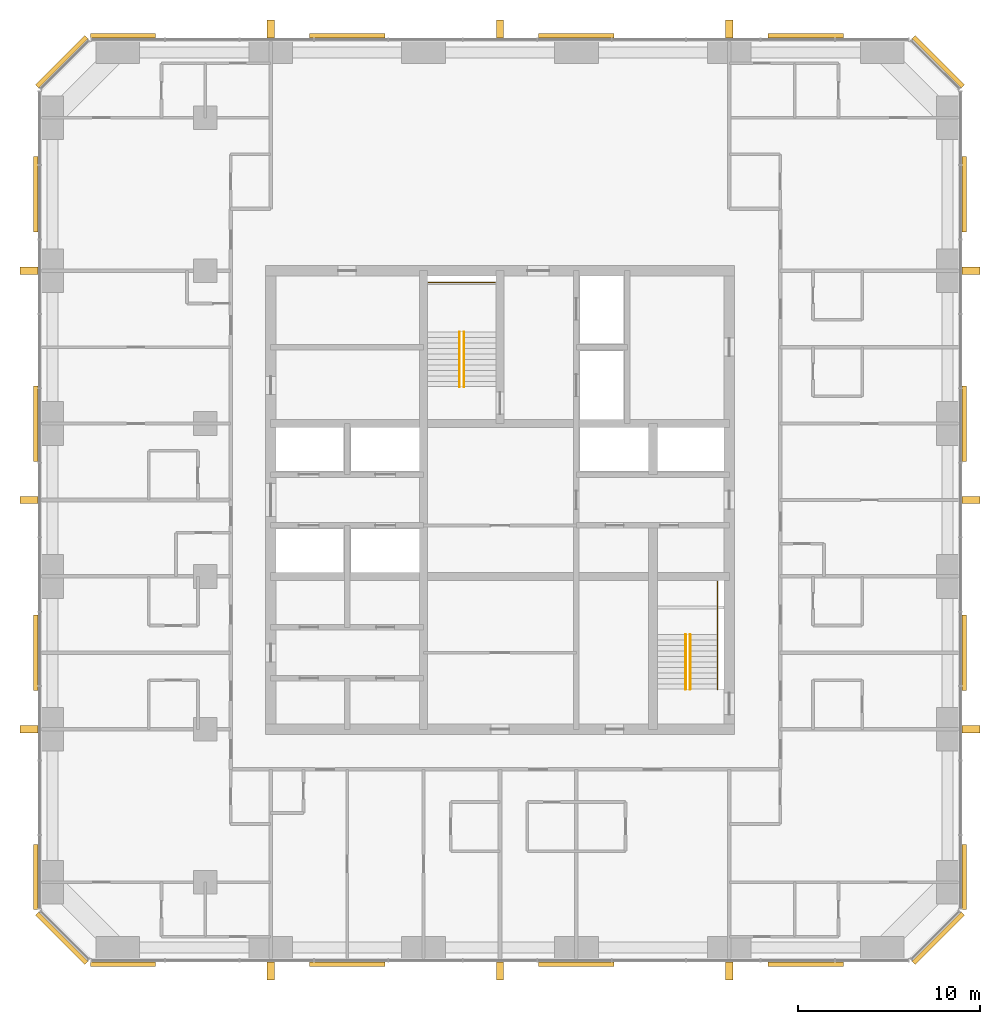
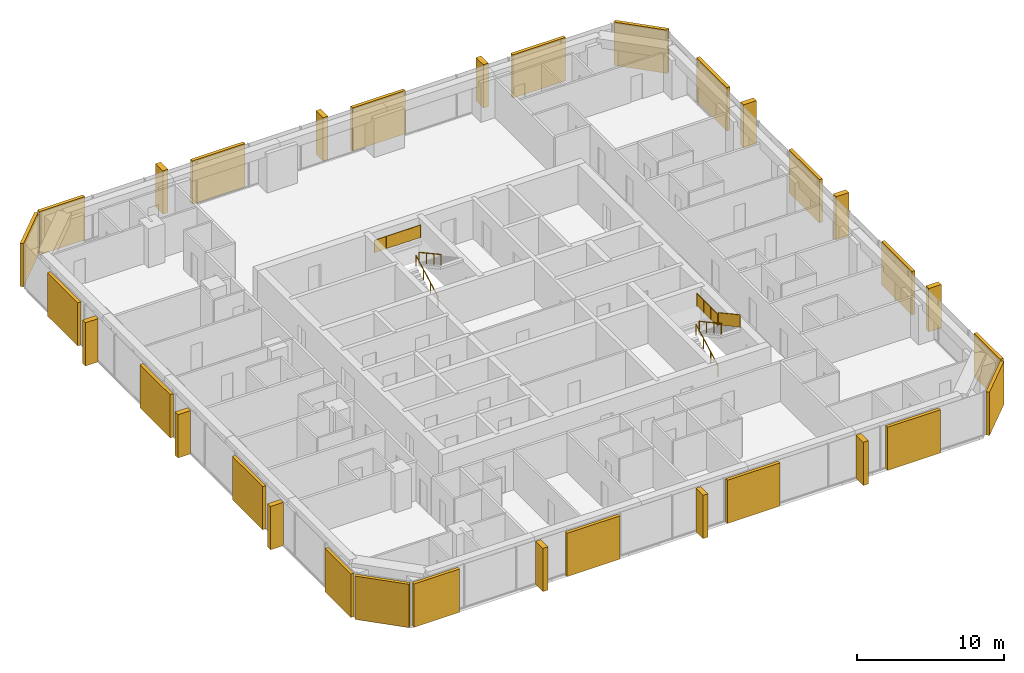
# One storey, part 13 of 13: 20 coverings, 12 shading devices, 7 railings.
"""IFC4 building model written with IfcOpenShell, lengths in metres."""

from ifc_helpers import new_model, si_unit, direction, frame, origin, origin_2d, place, context, subcontext, project, spatial, polyline, rectangle, circle, outline, extrude, material, layer, layer_set, type_object, element, save


model = new_model("IFC4")

# Units and contexts
model_context = context("Model", 3, precision=1e-05, world=origin(), true_north=direction((0.0, 1.0)))
body_context = subcontext(model_context, "Body", "Model", "MODEL_VIEW")
ifc_project = project(units=[si_unit("LENGTHUNIT", "METRE"), si_unit("AREAUNIT", "SQUARE_METRE"), si_unit("VOLUMEUNIT", "CUBIC_METRE"), si_unit("PLANEANGLEUNIT", "RADIAN"), si_unit("MASSUNIT", "GRAM", prefix="KILO")], contexts=[model_context])

# Site, building, storey
site_placement = place(None, origin())
site = spatial("IfcSite", under=ifc_project, at=site_placement, CompositionType="ELEMENT")
building_placement = place(site_placement, origin())
building = spatial("IfcBuilding", under=site, at=building_placement, Name="Dunama Terrace Hotel", CompositionType="ELEMENT")
storey_placement = place(building_placement, frame((0.0, 0.0, 205.800048828125)))
storey = spatial("IfcBuildingStorey", under=building, at=storey_placement, Name="L53", CompositionType="ELEMENT", Elevation=205.800048828125)

# Railings
ifc_material_1 = material(Name="Stainless steel and laminated glass guard", Category="steel")
railing_type_1 = type_object("IfcRailingType", Name="Guard 1100", PredefinedType="GUARDRAIL", material=ifc_material_1)
railing_1_placement = place(storey_placement, frame((25.47509765625, 41.35009765625, 1.800048828125)))
element("IfcRailing", 1, at=railing_1_placement, inside=storey, type_object=railing_type_1, Name="Stair landing guard ST1 L53", PredefinedType="GUARDRAIL", context=body_context, shape_type="SweptSolid", body=[
    extrude(circle(Radius=0.02392578125, at=origin_2d()), frame((0.0, 0.0, 1.076171875), z_axis=(1.0, 0.0, 0.0), x_axis=(0.0, 1.0, 0.0)), (0.0, 0.0, 1.0), 3.64990234375),
    extrude(circle(Radius=0.02099609375, at=origin_2d()), origin(), (0.0, 0.0, 1.0), 1.052001953125),
    extrude(circle(Radius=0.02099609375, at=origin_2d()), frame((0.91259765625, 0.0, 0.0)), (0.0, 0.0, 1.0), 1.052001953125),
    extrude(circle(Radius=0.02099609375, at=origin_2d()), frame((1.824951171875, 0.0, 0.0)), (0.0, 0.0, 1.0), 1.052001953125),
    extrude(circle(Radius=0.02099609375, at=origin_2d()), frame((2.7373046875, 0.0, 0.0)), (0.0, 0.0, 1.0), 1.052001953125),
    extrude(circle(Radius=0.02099609375, at=origin_2d()), frame((3.64990234375, 0.0, 0.0)), (0.0, 0.0, 1.0), 1.052001953125),
    extrude(outline(polyline([(0.0048828125, 0.050048828125), (0.90771484375, 0.050048828125), (0.90771484375, 1.076171875), (0.0048828125, 1.076171875), (0.0048828125, 0.050048828125)])), frame((0.0, 0.0087890625, 0.0), z_axis=(0.0, -1.0, 0.0), x_axis=(1.0, 0.0, 0.0)), (0.0, 0.0, 1.0), 0.017578125),
    extrude(outline(polyline([(0.0048828125, 0.050048828125), (0.90771484375, 0.050048828125), (0.90771484375, 1.076171875), (0.0048828125, 1.076171875), (0.0048828125, 0.050048828125)])), frame((0.91259765625, 0.0087890625, 0.0), z_axis=(0.0, -1.0, 0.0), x_axis=(1.0, 0.0, 0.0)), (0.0, 0.0, 1.0), 0.017578125),
    extrude(outline(polyline([(0.0048828125, 0.050048828125), (0.90771484375, 0.050048828125), (0.90771484375, 1.076171875), (0.0048828125, 1.076171875), (0.0048828125, 0.050048828125)])), frame((1.824951171875, 0.0087890625, 0.0), z_axis=(0.0, -1.0, 0.0), x_axis=(1.0, 0.0, 0.0)), (0.0, 0.0, 1.0), 0.017578125),
    extrude(outline(polyline([(0.0048828125, 0.050048828125), (0.90771484375, 0.050048828125), (0.90771484375, 1.076171875), (0.0048828125, 1.076171875), (0.0048828125, 0.050048828125)])), frame((2.7373046875, 0.0087890625, 0.0), z_axis=(0.0, -1.0, 0.0), x_axis=(1.0, 0.0, 0.0)), (0.0, 0.0, 1.0), 0.017578125),
])
railing_2_placement = place(storey_placement, frame((41.35009765625, 22.0, 1.963623046875)))
element("IfcRailing", 2, at=railing_2_placement, inside=storey, type_object=railing_type_1, Name="Stair guard ST2 L53", PredefinedType="GUARDRAIL", context=body_context, shape_type="SweptSolid", body=[
    extrude(circle(Radius=0.02392578125, at=origin_2d()), frame((0.0, 0.0, 1.076171875), z_axis=(0.0, -0.877911954615, 0.47882209634), x_axis=(1.0, 0.0, 0.0)), (0.0, 0.0, 1.0), 3.417236328125),
    extrude(circle(Radius=0.02099609375, at=origin_2d()), origin(), (0.0, 0.0, 1.0), 1.052001953125),
    extrude(circle(Radius=0.02099609375, at=origin_2d()), frame((0.0, -1.0, 0.54541015625)), (0.0, 0.0, 1.0), 1.052001953125),
    extrude(circle(Radius=0.02099609375, at=origin_2d()), frame((0.0, -2.0, 1.0908203125)), (0.0, 0.0, 1.0), 1.052001953125),
    extrude(circle(Radius=0.02099609375, at=origin_2d()), frame((0.0, -3.0, 1.63623046875)), (0.0, 0.0, 1.0), 1.052001953125),
    extrude(outline(polyline([(0.0048828125, 0.052734375), (0.9951171875, 0.5927734375), (0.9951171875, 1.618896484375), (0.0048828125, 1.07861328125), (0.0048828125, 0.052734375)])), frame((0.0087890625, 0.0, 0.0), z_axis=(-1.0, 0.0, 0.0), x_axis=(0.0, -1.0, 0.0)), (0.0, 0.0, 1.0), 0.017578125),
    extrude(outline(polyline([(0.0048828125, 0.052734375), (0.9951171875, 0.5927734375), (0.9951171875, 1.618896484375), (0.0048828125, 1.07861328125), (0.0048828125, 0.052734375)])), frame((0.0087890625, -1.0, 0.54541015625), z_axis=(-1.0, 0.0, 0.0), x_axis=(0.0, -1.0, 0.0)), (0.0, 0.0, 1.0), 0.017578125),
    extrude(outline(polyline([(0.0048828125, 0.052734375), (0.9951171875, 0.5927734375), (0.9951171875, 1.618896484375), (0.0048828125, 1.07861328125), (0.0048828125, 0.052734375)])), frame((0.0087890625, -2.0, 1.0908203125), z_axis=(-1.0, 0.0, 0.0), x_axis=(0.0, -1.0, 0.0)), (0.0, 0.0, 1.0), 0.017578125),
])
railing_3_placement = place(storey_placement, frame((41.35009765625, 22.050048828125, 1.800048828125)))
element("IfcRailing", 3, at=railing_3_placement, inside=storey, type_object=railing_type_1, Name="Stair landing guard ST2 L53", PredefinedType="GUARDRAIL", context=body_context, shape_type="SweptSolid", body=[
    extrude(circle(Radius=0.02392578125, at=origin_2d()), frame((0.0, 0.0, 1.076171875), z_axis=(0.0, 1.0, 0.0), x_axis=(-1.0, 0.0, 0.0)), (0.0, 0.0, 1.0), 2.875),
    extrude(circle(Radius=0.02099609375, at=origin_2d()), origin(), (0.0, 0.0, 1.0), 1.052001953125),
    extrude(circle(Radius=0.02099609375, at=origin_2d()), frame((0.0, 0.958251953125, 0.0)), (0.0, 0.0, 1.0), 1.052001953125),
    extrude(circle(Radius=0.02099609375, at=origin_2d()), frame((0.0, 1.916748046875, 0.0)), (0.0, 0.0, 1.0), 1.052001953125),
    extrude(circle(Radius=0.02099609375, at=origin_2d()), frame((0.0, 2.875, 0.0)), (0.0, 0.0, 1.0), 1.052001953125),
    extrude(outline(polyline([(0.0048828125, 0.050048828125), (0.953369140625, 0.050048828125), (0.953369140625, 1.076171875), (0.0048828125, 1.076171875), (0.0048828125, 0.050048828125)])), frame((-0.0087890625, 0.0, 0.0), z_axis=(1.0, 0.0, 0.0), x_axis=(0.0, 1.0, 0.0)), (0.0, 0.0, 1.0), 0.017578125),
    extrude(outline(polyline([(0.0048828125, 0.050048828125), (0.953369140625, 0.050048828125), (0.953369140625, 1.076171875), (0.0048828125, 1.076171875), (0.0048828125, 0.050048828125)])), frame((-0.0087890625, 0.958251953125, 0.0), z_axis=(1.0, 0.0, 0.0), x_axis=(0.0, 1.0, 0.0)), (0.0, 0.0, 1.0), 0.017578125),
    extrude(outline(polyline([(0.0048828125, 0.050048828125), (0.953369140625, 0.050048828125), (0.953369140625, 1.076171875), (0.0048828125, 1.076171875), (0.0048828125, 0.050048828125)])), frame((-0.0087890625, 1.916748046875, 0.0), z_axis=(1.0, 0.0, 0.0), x_axis=(0.0, 1.0, 0.0)), (0.0, 0.0, 1.0), 0.017578125),
])
ifc_material_2 = material(Name="Stainless steel handrail", Category="steel")
railing_type_2 = type_object("IfcRailingType", Name="Stair handrail 900", PredefinedType="HANDRAIL", material=ifc_material_2)
railing_4_placement = place(storey_placement, frame((27.175048828125, 35.625, 0.16357421875)))
element("IfcRailing", 4, at=railing_4_placement, inside=storey, type_object=railing_type_2, Name="Handrail ST1 L53", PredefinedType="HANDRAIL", context=body_context, shape_type="SweptSolid", body=[
    extrude(circle(Radius=0.02392578125, at=origin_2d()), frame((0.0, 0.0, 0.8759765625), z_axis=(0.0, 0.877881921179, 0.478877158013), x_axis=(-1.0, 0.0, 0.0)), (0.0, 0.0, 1.0), 3.417236328125),
    extrude(circle(Radius=0.02099609375, at=origin_2d()), origin(), (0.0, 0.0, 1.0), 0.851806640625),
    extrude(circle(Radius=0.02099609375, at=origin_2d()), frame((0.0, 1.0, 0.54541015625)), (0.0, 0.0, 1.0), 0.851806640625),
    extrude(circle(Radius=0.02099609375, at=origin_2d()), frame((0.0, 2.0, 1.091064453125)), (0.0, 0.0, 1.0), 0.851806640625),
    extrude(circle(Radius=0.02099609375, at=origin_2d()), frame((0.0, 3.0, 1.636474609375)), (0.0, 0.0, 1.0), 0.851806640625),
])
railing_5_placement = place(storey_placement, frame((27.425048828125, 38.625, 1.963623046875)))
element("IfcRailing", 5, at=railing_5_placement, inside=storey, type_object=railing_type_2, Name="Handrail ST1 L53", PredefinedType="HANDRAIL", context=body_context, shape_type="SweptSolid", body=[
    extrude(circle(Radius=0.02392578125, at=origin_2d()), frame((0.0, 0.0, 0.8759765625), z_axis=(0.0, -0.877911954615, 0.47882209634), x_axis=(1.0, 0.0, 0.0)), (0.0, 0.0, 1.0), 3.417236328125),
    extrude(circle(Radius=0.02099609375, at=origin_2d()), origin(), (0.0, 0.0, 1.0), 0.851806640625),
    extrude(circle(Radius=0.02099609375, at=origin_2d()), frame((0.0, -1.0, 0.54541015625)), (0.0, 0.0, 1.0), 0.851806640625),
    extrude(circle(Radius=0.02099609375, at=origin_2d()), frame((0.0, -2.0, 1.0908203125)), (0.0, 0.0, 1.0), 0.851806640625),
    extrude(circle(Radius=0.02099609375, at=origin_2d()), frame((0.0, -3.0, 1.63623046875)), (0.0, 0.0, 1.0), 0.851806640625),
])
railing_6_placement = place(storey_placement, frame((39.60009765625, 19.0, 0.16357421875)))
element("IfcRailing", 6, at=railing_6_placement, inside=storey, type_object=railing_type_2, Name="Handrail ST2 L53", PredefinedType="HANDRAIL", context=body_context, shape_type="SweptSolid", body=[
    extrude(circle(Radius=0.02392578125, at=origin_2d()), frame((0.0, 0.0, 0.8759765625), z_axis=(0.0, 0.877881921179, 0.478877158013), x_axis=(-1.0, 0.0, 0.0)), (0.0, 0.0, 1.0), 3.417236328125),
    extrude(circle(Radius=0.02099609375, at=origin_2d()), origin(), (0.0, 0.0, 1.0), 0.851806640625),
    extrude(circle(Radius=0.02099609375, at=origin_2d()), frame((0.0, 1.0, 0.54541015625)), (0.0, 0.0, 1.0), 0.851806640625),
    extrude(circle(Radius=0.02099609375, at=origin_2d()), frame((0.0, 2.0, 1.091064453125)), (0.0, 0.0, 1.0), 0.851806640625),
    extrude(circle(Radius=0.02099609375, at=origin_2d()), frame((0.0, 3.0, 1.636474609375)), (0.0, 0.0, 1.0), 0.851806640625),
])
railing_7_placement = place(storey_placement, frame((39.85009765625, 22.0, 1.963623046875)))
element("IfcRailing", 7, at=railing_7_placement, inside=storey, type_object=railing_type_2, Name="Handrail ST2 L53", PredefinedType="HANDRAIL", context=body_context, shape_type="SweptSolid", body=[
    extrude(circle(Radius=0.02392578125, at=origin_2d()), frame((0.0, 0.0, 0.8759765625), z_axis=(0.0, -0.877911954615, 0.47882209634), x_axis=(1.0, 0.0, 0.0)), (0.0, 0.0, 1.0), 3.417236328125),
    extrude(circle(Radius=0.02099609375, at=origin_2d()), origin(), (0.0, 0.0, 1.0), 0.851806640625),
    extrude(circle(Radius=0.02099609375, at=origin_2d()), frame((0.0, -1.0, 0.54541015625)), (0.0, 0.0, 1.0), 0.851806640625),
    extrude(circle(Radius=0.02099609375, at=origin_2d()), frame((0.0, -2.0, 1.0908203125)), (0.0, 0.0, 1.0), 0.851806640625),
    extrude(circle(Radius=0.02099609375, at=origin_2d()), frame((0.0, -3.0, 1.63623046875)), (0.0, 0.0, 1.0), 0.851806640625),
])

# Coverings
ifc_material_3 = material(Name="Warm reconstituted stone panel", Category="masonry")
ifc_layer_1 = layer(ifc_material_3, 0.25)
ifc_layer_set_1 = layer_set([ifc_layer_1], Name="Stone diagonal panel")
covering_type = type_object("IfcCoveringType", Name="Stone diagonal panel", PredefinedType="CLADDING", material=ifc_layer_set_1)
covering_1_placement = place(storey_placement, frame((8.68994140625, 3.876953125, 0.001953125), z_axis=(0.0, 0.0, 1.0), x_axis=(1.0, 0.0, 0.0)))
element("IfcCovering", 8, at=covering_1_placement, inside=storey, type_object=covering_type, Name="Stone diagonal panel L53", PredefinedType="CLADDING", context=body_context, shape_type="SweptSolid", body=[
    extrude(rectangle(XDim=3.570068359375, YDim=0.25, at=origin_2d()), origin(), (0.0, 0.0, 1.0), 3.595947265625),
])
for number, where, z_axis, x_axis, name in (
    (9, (21.0, 3.876953125, 0.001953125), (0.0, 0.0, 1.0), (1.0, 0.0, 0.0), "Stone diagonal panel L53"),
    (10, (33.60009765625, 3.876953125, 0.001953125), (0.0, 0.0, 1.0), (1.0, 0.0, 0.0), "Stone diagonal panel L53"),
    (11, (46.199951171875, 3.876953125, 0.001953125), (0.0, 0.0, 1.0), (1.0, 0.0, 0.0), "Stone diagonal panel L53"),
):
    element("IfcCovering", number, at=place(storey_placement, frame(where, z_axis=z_axis, x_axis=x_axis)), inside=storey, type_object=covering_type, Name=name, PredefinedType="CLADDING", context=body_context, shape_type="SweptSolid", body=[
        extrude(rectangle(XDim=4.14990234375, YDim=0.25, at=origin_2d()), origin(), (0.0, 0.0, 1.0), 3.595947265625),
    ])
covering_2_placement = place(storey_placement, frame((53.47900390625, 5.321044921875, 0.001953125), z_axis=(0.0, 0.0, 1.0), x_axis=(0.707106781187, 0.707106781187, 0.0)))
element("IfcCovering", 12, at=covering_2_placement, inside=storey, type_object=covering_type, Name="Stone diagonal panel L53", PredefinedType="CLADDING", context=body_context, shape_type="SweptSolid", body=[
    extrude(rectangle(XDim=3.808349609375, YDim=0.25, at=origin_2d()), origin(), (0.0, 0.0, 1.0), 3.595947265625),
])
covering_3_placement = place(storey_placement, frame((54.923095703125, 8.68994140625, 0.001953125), z_axis=(0.0, 0.0, 1.0), x_axis=(0.0, 1.0, 0.0)))
element("IfcCovering", 13, at=covering_3_placement, inside=storey, type_object=covering_type, Name="Stone diagonal panel L53", PredefinedType="CLADDING", context=body_context, shape_type="SweptSolid", body=[
    extrude(rectangle(XDim=3.570068359375, YDim=0.25, at=origin_2d()), origin(), (0.0, 0.0, 1.0), 3.595947265625),
])
for number, where, z_axis, x_axis, name in (
    (14, (54.923095703125, 21.0, 0.001953125), (0.0, 0.0, 1.0), (0.0, 1.0, 0.0), "Stone diagonal panel L53"),
    (15, (54.923095703125, 33.60009765625, 0.001953125), (0.0, 0.0, 1.0), (0.0, 1.0, 0.0), "Stone diagonal panel L53"),
    (16, (54.923095703125, 46.199951171875, 0.001953125), (0.0, 0.0, 1.0), (0.0, 1.0, 0.0), "Stone diagonal panel L53"),
):
    element("IfcCovering", number, at=place(storey_placement, frame(where, z_axis=z_axis, x_axis=x_axis)), inside=storey, type_object=covering_type, Name=name, PredefinedType="CLADDING", context=body_context, shape_type="SweptSolid", body=[
        extrude(rectangle(XDim=4.14990234375, YDim=0.25, at=origin_2d()), origin(), (0.0, 0.0, 1.0), 3.595947265625),
    ])
covering_4_placement = place(storey_placement, frame((53.47900390625, 53.47900390625, 0.001953125), z_axis=(0.0, 0.0, 1.0), x_axis=(-0.707106781187, 0.707106781187, 0.0)))
element("IfcCovering", 17, at=covering_4_placement, inside=storey, type_object=covering_type, Name="Stone diagonal panel L53", PredefinedType="CLADDING", context=body_context, shape_type="SweptSolid", body=[
    extrude(rectangle(XDim=3.808349609375, YDim=0.25, at=origin_2d()), origin(), (0.0, 0.0, 1.0), 3.595947265625),
])
for number, where, z_axis, x_axis, name in (
    (18, (46.199951171875, 54.923095703125, 0.001953125), (0.0, 0.0, 1.0), (-1.0, 0.0, 0.0), "Stone diagonal panel L53"),
    (19, (33.60009765625, 54.923095703125, 0.001953125), (0.0, 0.0, 1.0), (-1.0, 0.0, 0.0), "Stone diagonal panel L53"),
    (20, (21.0, 54.923095703125, 0.001953125), (0.0, 0.0, 1.0), (-1.0, 0.0, 0.0), "Stone diagonal panel L53"),
):
    element("IfcCovering", number, at=place(storey_placement, frame(where, z_axis=z_axis, x_axis=x_axis)), inside=storey, type_object=covering_type, Name=name, PredefinedType="CLADDING", context=body_context, shape_type="SweptSolid", body=[
        extrude(rectangle(XDim=4.14990234375, YDim=0.25, at=origin_2d()), origin(), (0.0, 0.0, 1.0), 3.595947265625),
    ])
covering_5_placement = place(storey_placement, frame((8.68994140625, 54.923095703125, 0.001953125), z_axis=(0.0, 0.0, 1.0), x_axis=(-1.0, 0.0, 0.0)))
element("IfcCovering", 21, at=covering_5_placement, inside=storey, type_object=covering_type, Name="Stone diagonal panel L53", PredefinedType="CLADDING", context=body_context, shape_type="SweptSolid", body=[
    extrude(rectangle(XDim=3.570068359375, YDim=0.25, at=origin_2d()), origin(), (0.0, 0.0, 1.0), 3.595947265625),
])
covering_6_placement = place(storey_placement, frame((5.321044921875, 53.47900390625, 0.001953125), z_axis=(0.0, 0.0, 1.0), x_axis=(-0.707106781187, -0.707106781187, 0.0)))
element("IfcCovering", 22, at=covering_6_placement, inside=storey, type_object=covering_type, Name="Stone diagonal panel L53", PredefinedType="CLADDING", context=body_context, shape_type="SweptSolid", body=[
    extrude(rectangle(XDim=3.808349609375, YDim=0.25, at=origin_2d()), origin(), (0.0, 0.0, 1.0), 3.595947265625),
])
for number, where, z_axis, x_axis, name in (
    (23, (3.876953125, 46.199951171875, 0.001953125), (0.0, 0.0, 1.0), (0.0, -1.0, 0.0), "Stone diagonal panel L53"),
    (24, (3.876953125, 33.60009765625, 0.001953125), (0.0, 0.0, 1.0), (0.0, -1.0, 0.0), "Stone diagonal panel L53"),
    (25, (3.876953125, 21.0, 0.001953125), (0.0, 0.0, 1.0), (0.0, -1.0, 0.0), "Stone diagonal panel L53"),
):
    element("IfcCovering", number, at=place(storey_placement, frame(where, z_axis=z_axis, x_axis=x_axis)), inside=storey, type_object=covering_type, Name=name, PredefinedType="CLADDING", context=body_context, shape_type="SweptSolid", body=[
        extrude(rectangle(XDim=4.14990234375, YDim=0.25, at=origin_2d()), origin(), (0.0, 0.0, 1.0), 3.595947265625),
    ])
covering_7_placement = place(storey_placement, frame((3.876953125, 8.68994140625, 0.001953125), z_axis=(0.0, 0.0, 1.0), x_axis=(0.0, -1.0, 0.0)))
element("IfcCovering", 26, at=covering_7_placement, inside=storey, type_object=covering_type, Name="Stone diagonal panel L53", PredefinedType="CLADDING", context=body_context, shape_type="SweptSolid", body=[
    extrude(rectangle(XDim=3.570068359375, YDim=0.25, at=origin_2d()), origin(), (0.0, 0.0, 1.0), 3.595947265625),
])
covering_8_placement = place(storey_placement, frame((5.321044921875, 5.321044921875, 0.001953125), z_axis=(0.0, 0.0, 1.0), x_axis=(0.707106781187, -0.707106781187, 0.0)))
element("IfcCovering", 27, at=covering_8_placement, inside=storey, type_object=covering_type, Name="Stone diagonal panel L53", PredefinedType="CLADDING", context=body_context, shape_type="SweptSolid", body=[
    extrude(rectangle(XDim=3.808349609375, YDim=0.25, at=origin_2d()), origin(), (0.0, 0.0, 1.0), 3.595947265625),
])

# Shading devices
ifc_material_4 = material(Name="Warm reconstituted stone fin", Category="masonry")
ifc_layer_2 = layer(ifc_material_4, 0.39990234375)
ifc_layer_set_2 = layer_set([ifc_layer_2], Name="Warm stone fin 400x1000")
shading_device_type = type_object("IfcShadingDeviceType", Name="Warm stone fin 400x1000", PredefinedType="USERDEFINED", material=ifc_layer_set_2)
for number, where, z_axis, x_axis, name in (
    (28, (16.800048828125, 3.52197265625, 0.0), (0.0, 0.0, 1.0), (1.0, 0.0, 0.0), "Stone fin"),
    (29, (29.39990234375, 3.52197265625, 0.0), (0.0, 0.0, 1.0), (1.0, 0.0, 0.0), "Stone fin"),
    (30, (42.0, 3.52197265625, 0.0), (0.0, 0.0, 1.0), (1.0, 0.0, 0.0), "Stone fin"),
    (31, (55.278076171875, 16.800048828125, 0.0), (0.0, 0.0, 1.0), (0.0, 1.0, 0.0), "Stone fin"),
    (32, (55.278076171875, 29.39990234375, 0.0), (0.0, 0.0, 1.0), (0.0, 1.0, 0.0), "Stone fin"),
    (33, (55.278076171875, 42.0, 0.0), (0.0, 0.0, 1.0), (0.0, 1.0, 0.0), "Stone fin"),
    (34, (42.0, 55.278076171875, 0.0), (0.0, 0.0, 1.0), (-1.0, 0.0, 0.0), "Stone fin"),
    (35, (29.39990234375, 55.278076171875, 0.0), (0.0, 0.0, 1.0), (-1.0, 0.0, 0.0), "Stone fin"),
    (36, (16.800048828125, 55.278076171875, 0.0), (0.0, 0.0, 1.0), (-1.0, 0.0, 0.0), "Stone fin"),
    (37, (3.52197265625, 42.0, 0.0), (0.0, 0.0, 1.0), (0.0, -1.0, 0.0), "Stone fin"),
    (38, (3.52197265625, 29.39990234375, 0.0), (0.0, 0.0, 1.0), (0.0, -1.0, 0.0), "Stone fin"),
    (39, (3.52197265625, 16.800048828125, 0.0), (0.0, 0.0, 1.0), (0.0, -1.0, 0.0), "Stone fin"),
):
    element("IfcShadingDevice", number, at=place(storey_placement, frame(where, z_axis=z_axis, x_axis=x_axis)), inside=storey, type_object=shading_device_type, Name=name, ObjectType="FIN", PredefinedType="USERDEFINED", context=body_context, shape_type="SweptSolid", body=[
        extrude(rectangle(XDim=0.39990234375, YDim=1.0, at=origin_2d()), origin(), (0.0, 0.0, 1.0), 3.60009765625),
    ])

save(model, "model.ifc")
